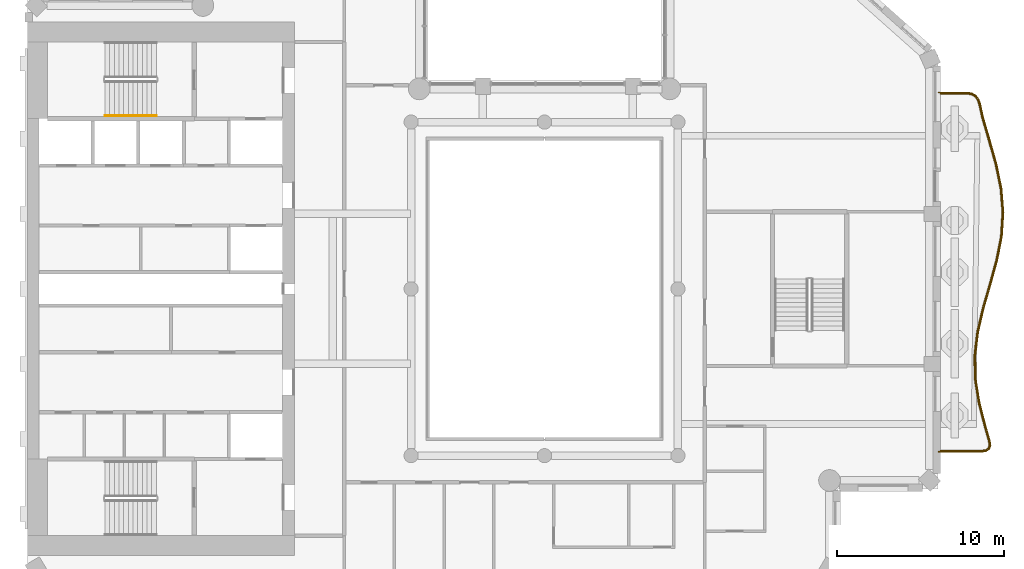
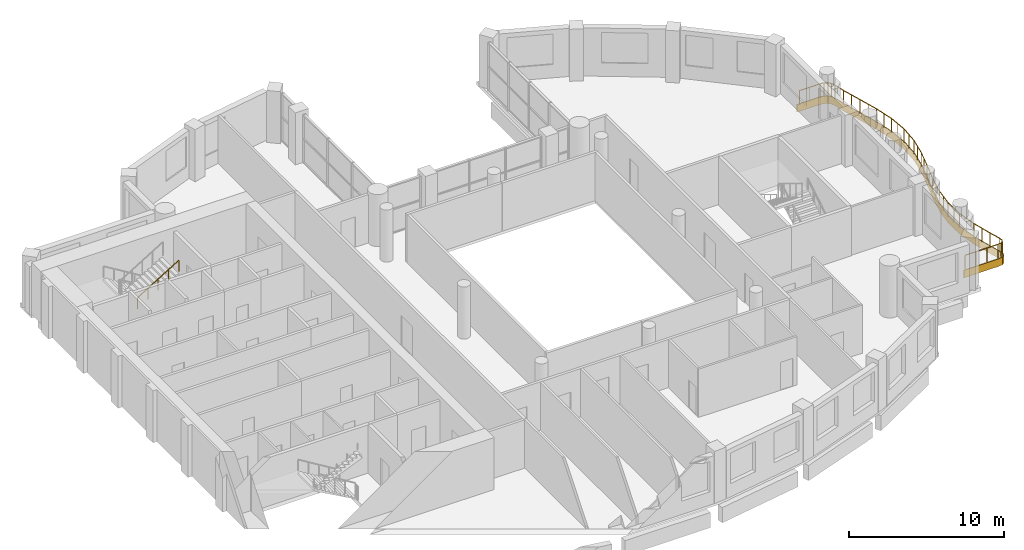
# One storey, part 12 of 14: 2 railings, 1 covering.
"""IFC4 building model written with IfcOpenShell, lengths in metres."""

import ifcopenshell
import ifcopenshell.guid

model = None  # the IFC model being written
_history = None  # IfcOwnerHistory: only IFC2X3 demands one
_inside = {}  # id of a spatial element -> (the spatial element, [elements in it])
_under = {}  # id of a project, library or spatial element -> (it, [spatial elements below it])
_declared = {}  # id of a project -> (the project, [libraries it declares])
_typed = {}  # id of a type object -> (the type object, [elements of that type])
_made_of = {}  # id of a material, layer set ... -> (it, [elements and type objects made of it])


def new_model(schema):
    """Start an empty IFC model of exactly this schema.

    Asked for "IFC4X3", IfcOpenShell would pick the latest addendum, in which some entities
    have other attributes; the version numbers below select the first issue.
    IFC2X3 requires an IfcOwnerHistory on every rooted entity: one is made here for all.
    """
    global model, _history
    if schema == "IFC4X3":
        model = ifcopenshell.file(schema_version=(4, 3, 0, 0))
    else:
        model = ifcopenshell.file(schema=schema)
    _inside.clear()
    _under.clear()
    _declared.clear()
    _typed.clear()
    _made_of.clear()
    _history = None
    if model.schema == "IFC2X3":
        org = make("IfcOrganization", Name="unknown")
        user = make(
            "IfcPersonAndOrganization",
            ThePerson=make("IfcPerson", FamilyName="unknown"),
            TheOrganization=org,
        )
        app = make(
            "IfcApplication",
            ApplicationDeveloper=org,
            Version="unknown",
            ApplicationFullName="unknown",
            ApplicationIdentifier="unknown",
        )
        _history = make(
            "IfcOwnerHistory",
            OwningUser=user,
            OwningApplication=app,
            ChangeAction="ADDED",
            CreationDate=0,
        )
    return model


def make(cls, **values):
    """One entity of the class cls with the attributes given. An attribute that is None is left unset."""
    return model.create_entity(
        cls, **{name: value for name, value in values.items() if value is not None}
    )


def rooted(cls, **values):
    """An entity with a GlobalId (a new one), such as an element, a storey or a relation."""
    return make(cls, GlobalId=ifcopenshell.guid.new(), OwnerHistory=_history, **values)


def si_unit(unit_type, name, prefix=None):
    """IfcSIUnit, for example si_unit("LENGTHUNIT", "METRE", prefix="MILLI")."""
    return make("IfcSIUnit", UnitType=unit_type, Prefix=prefix, Name=name)


def assignment(units):
    """IfcUnitAssignment: the units of a project."""
    return None if units is None else make("IfcUnitAssignment", Units=units)


def point(xyz):
    """IfcCartesianPoint."""
    return None if xyz is None else make("IfcCartesianPoint", Coordinates=xyz)


def direction(xyz):
    """IfcDirection."""
    return None if xyz is None else make("IfcDirection", DirectionRatios=xyz)


def frame(location, z_axis=None, x_axis=None):
    """IfcAxis2Placement3D, a coordinate frame: its origin and axes. An axis left out is left unset."""
    return make(
        "IfcAxis2Placement3D",
        Location=point(location),
        Axis=direction(z_axis),
        RefDirection=direction(x_axis),
    )


def frame_2d(location, x_axis=None):
    """IfcAxis2Placement2D, a coordinate frame in the plane: its origin and x axis."""
    return make(
        "IfcAxis2Placement2D", Location=point(location), RefDirection=direction(x_axis)
    )


def origin():
    """The frame at (0, 0, 0) with its axes left unset."""
    return frame((0.0, 0.0, 0.0))


def origin_2d():
    """The frame at (0, 0) in the plane with its x axis left unset."""
    return frame_2d((0.0, 0.0))


def place(relative_to, where):
    """IfcLocalPlacement: puts the frame where relative to a parent placement (None: the world)."""
    return make(
        "IfcLocalPlacement", PlacementRelTo=relative_to, RelativePlacement=where
    )


def context(
    kind, dimensions, precision=None, world=None, true_north=None, identifier=None
):
    """IfcGeometricRepresentationContext, for example the 3D "Model" context."""
    return make(
        "IfcGeometricRepresentationContext",
        ContextIdentifier=identifier,
        ContextType=kind,
        CoordinateSpaceDimension=dimensions,
        Precision=precision,
        WorldCoordinateSystem=world,
        TrueNorth=true_north,
    )


def subcontext(parent, identifier, kind, view, scale=None):
    """IfcGeometricRepresentationSubContext, for example "Body" below "Model"."""
    return make(
        "IfcGeometricRepresentationSubContext",
        ContextIdentifier=identifier,
        ContextType=kind,
        ParentContext=parent,
        TargetScale=scale,
        TargetView=view,
    )


def project(units=None, contexts=None):
    """IfcProject with its units and contexts."""
    return rooted(
        "IfcProject",
        Name="project",
        RepresentationContexts=contexts,
        UnitsInContext=assignment(units),
    )


def spatial(cls, under=None, at=None, **own):
    """A site, building, storey or space (cls), placed at a placement, below another one or the project."""
    s = rooted(cls, ObjectPlacement=at, **own)
    if under is not None:
        _under.setdefault(under.id(), (under, []))[1].append(s)
    return s


def polyline(points):
    """IfcPolyline through the points."""
    return make("IfcPolyline", Points=[point(p) for p in points])


def profile(cls, at=None, kind="AREA", **sizes):
    """A parametric profile (cls). Its sizes go by their IFC names, for example OverallWidth=200.0."""
    return make(cls, ProfileType=kind, Position=at, **sizes)


def rectangle(**sizes):
    """IfcRectangleProfileDef."""
    return profile("IfcRectangleProfileDef", **sizes)


def outline(outer, holes=None, kind="AREA"):
    """IfcArbitraryClosedProfileDef: a profile drawn as a closed curve; with holes, ...WithVoids."""
    if holes is None:
        return make("IfcArbitraryClosedProfileDef", ProfileType=kind, OuterCurve=outer)
    return make(
        "IfcArbitraryProfileDefWithVoids",
        ProfileType=kind,
        OuterCurve=outer,
        InnerCurves=holes,
    )


def extrude(swept, where, along, depth):
    """IfcExtrudedAreaSolid: the profile swept, set in the frame where, extruded along a direction by depth."""
    return make(
        "IfcExtrudedAreaSolid",
        SweptArea=swept,
        Position=where,
        ExtrudedDirection=direction(along),
        Depth=depth,
    )


def shape(context_of_items, identifier, shape_type, items):
    """IfcShapeRepresentation: the items that make up one representation, for example the "Body"."""
    return make(
        "IfcShapeRepresentation",
        ContextOfItems=context_of_items,
        RepresentationIdentifier=identifier,
        RepresentationType=shape_type,
        Items=items,
    )


def material(Name=None, Category=None):
    """IfcMaterial."""
    return make("IfcMaterial", Name=Name, Category=Category)


def layer(
    of_material, thickness, ventilated=None, Name=None, Category=None, Priority=None
):
    """IfcMaterialLayer: one layer of a wall or slab, of a material (None: an air gap)."""
    return make(
        "IfcMaterialLayer",
        Material=of_material,
        LayerThickness=thickness,
        IsVentilated=ventilated,
        Name=Name,
        Category=Category,
        Priority=Priority,
    )


def layer_set(layers, Name=None):
    """IfcMaterialLayerSet."""
    return make("IfcMaterialLayerSet", MaterialLayers=layers, LayerSetName=Name)


def made_of(thing, what):
    """Note that an element or type object is made of a material, layer set ...; save() writes the relation."""
    if what is not None:
        _made_of.setdefault(what.id(), (what, []))[1].append(thing)
    return thing


def type_object(cls, material=None, **own):
    """A type object (cls), such as IfcWallType, which elements share."""
    return made_of(rooted(cls, **own), material)


def element(
    cls,
    number,
    at=None,
    inside=None,
    cuts=None,
    type_object=None,
    material=None,
    context=None,
    identifier="Body",
    shape_type=None,
    held_by="IfcProductDefinitionShape",
    body=None,
    shapes=None,
    **own,
):
    """One element of the class cls, such as IfcWall. Its Tag is "e" and its number.

    at: its placement. inside: the storey or other place that contains it. cuts: it is an
    opening in that element (IfcRelVoidsElement). A single representation is given by context,
    identifier, shape_type and body (its items); several are given by shapes. held_by: the class
    of the entity that holds the representations. save() writes the other relations.
    """
    e = rooted(cls, Tag="e%d" % number, ObjectPlacement=at, **own)
    if body is not None:
        shapes = [shape(context, identifier, shape_type, body)]
    if shapes is not None:
        e.Representation = make(held_by, Representations=shapes)
    if inside is not None:
        _inside.setdefault(inside.id(), (inside, []))[1].append(e)
    if cuts is not None:
        rooted(
            "IfcRelVoidsElement", RelatingBuildingElement=cuts, RelatedOpeningElement=e
        )
    if type_object is not None:
        _typed.setdefault(type_object.id(), (type_object, []))[1].append(e)
    return made_of(e, material)


def aggregate(whole, parts):
    """IfcRelAggregates: a whole, such as a stair, and the parts it consists of."""
    return rooted("IfcRelAggregates", RelatingObject=whole, RelatedObjects=parts)


def save(model, path):
    """Write the relations noted so far, then the file.

    IfcRelAggregates (storeys below a building ...), IfcRelContainedInSpatialStructure (elements
    in a storey), IfcRelDefinesByType, IfcRelAssociatesMaterial and IfcRelDeclares: one each for
    every whole, place, type object, material and project.
    """
    for whole, parts in _under.values():
        aggregate(whole, parts)
    for where, things in _inside.values():
        rooted(
            "IfcRelContainedInSpatialStructure",
            RelatedElements=things,
            RelatingStructure=where,
        )
    for kind, things in _typed.values():
        rooted("IfcRelDefinesByType", RelatedObjects=things, RelatingType=kind)
    for what, things in _made_of.values():
        rooted("IfcRelAssociatesMaterial", RelatedObjects=things, RelatingMaterial=what)
    for by, libraries in _declared.values():
        rooted("IfcRelDeclares", RelatingContext=by, RelatedDefinitions=libraries)
    model.write(path)


model = new_model("IFC4")

# Units and contexts
model_context = context("Model", 3, precision=1e-05, world=origin(), true_north=direction((0.0, 1.0)))
body_context = subcontext(model_context, "Body", "Model", "MODEL_VIEW")
ifc_project = project(units=[si_unit("LENGTHUNIT", "METRE"), si_unit("AREAUNIT", "SQUARE_METRE"), si_unit("VOLUMEUNIT", "CUBIC_METRE"), si_unit("PLANEANGLEUNIT", "RADIAN"), si_unit("MASSUNIT", "GRAM", prefix="KILO")], contexts=[model_context])

# Site, building, storey
site_placement = place(None, origin())
site = spatial("IfcSite", under=ifc_project, at=site_placement, CompositionType="ELEMENT")
building_placement = place(site_placement, origin())
building = spatial("IfcBuilding", under=site, at=building_placement, Name="Cypress Arch Tower", CompositionType="ELEMENT")
storey_placement = place(building_placement, frame((0.0, 0.0, 251.60009765625)))
storey = spatial("IfcBuildingStorey", under=building, at=storey_placement, Name="L56", CompositionType="ELEMENT", Elevation=251.60009765625)

# Covering
ifc_material_1 = material(Name="White powder-coated aluminium fascia", Category="aluminium")
ifc_layer = layer(ifc_material_1, 0.050048828125)
ifc_layer_set = layer_set([ifc_layer], Name="Balcony fascia BF50")
covering_type = type_object("IfcCoveringType", Name="Balcony fascia BF50", PredefinedType="CLADDING", material=ifc_layer_set)
covering_placement = place(storey_placement, frame((0.0, 0.0, -0.60009765625)))
element("IfcCovering", 1, at=covering_placement, inside=storey, type_object=covering_type, Name="Balcony fascia L56-C17", PredefinedType="CLADDING", context=body_context, shape_type="SweptSolid", body=[
    extrude(outline(polyline([(26.29638671875, 11.800048828125), (26.606201171875, 11.758056640625), (26.8564453125, 11.62841796875), (27.037109375, 11.41259765625), (27.1455078125, 11.119140625), (27.321533203125, 10.3291015625), (27.732666015625, 8.89697265625), (28.136474609375, 7.4619140625), (28.43310546875, 6.023681640625), (28.5498046875, 4.583740234375), (28.45703125, 3.1435546875), (28.17822265625, 1.705322265625), (27.781982421875, 0.269775390625), (27.3662109375, -1.16259765625), (27.032470703125, -2.592041015625), (26.862060546875, -4.01904296875), (26.896240234375, -5.4453125), (27.12646484375, -6.873046875), (27.497314453125, -8.303466796875), (27.7294921875, -9.09423828125), (27.772705078125, -9.3916015625), (27.69677734375, -9.620361328125), (27.498779296875, -9.757568359375), (27.201416015625, -9.800048828125), (24.60107421875, -9.800048828125), (24.60107421875, -9.75), (27.19775390625, -9.75), (27.47998046875, -9.709716796875), (27.654541015625, -9.5888671875), (27.721435546875, -9.38720703125), (27.6806640625, -9.10498046875), (27.44921875, -8.316650390625), (27.07763671875, -6.88330078125), (26.84619140625, -5.449951171875), (26.81201171875, -4.0166015625), (26.983154296875, -2.583251953125), (27.31787109375, -1.14990234375), (27.73388671875, 0.283447265625), (28.12939453125, 1.716552734375), (28.407470703125, 3.14990234375), (28.499755859375, 4.583251953125), (28.383544921875, 6.0166015625), (28.087890625, 7.449951171875), (27.6845703125, 8.88330078125), (27.27294921875, 10.316650390625), (27.097412109375, 11.10498046875), (26.9931640625, 11.38720703125), (26.824462890625, 11.5888671875), (26.591064453125, 11.709716796875), (26.29296875, 11.75), (24.60107421875, 11.75), (24.60107421875, 11.800048828125), (26.29638671875, 11.800048828125)])), origin(), (0.0, 0.0, 1.0), 0.60009765625),
])

# Railings
ifc_material_2 = material(Name="Powder-coated steel posts and rods, 100 mm clear between rods", Category="steel")
railing_type_1 = type_object("IfcRailingType", Name="Balcony guard GR1100", PredefinedType="GUARDRAIL", material=ifc_material_2)
railing_1_placement = place(storey_placement, frame((24.75, 11.699951171875, 0.0)))
element("IfcRailing", 2, at=railing_1_placement, inside=storey, type_object=railing_type_1, Name="Balcony guard L56-C17", PredefinedType="GUARDRAIL", context=body_context, shape_type="SweptSolid", body=[
    extrude(rectangle(XDim=0.050048828125, YDim=0.050048828125, at=origin_2d()), frame((0.0, 0.0, 1.0751953125), z_axis=(1.0, 0.0, 0.0), x_axis=(0.0, 1.0, 0.0)), (0.0, 0.0, 1.0), 1.53955078125),
    extrude(rectangle(XDim=0.050048828125, YDim=0.050048828125, at=origin_2d()), frame((1.53955078125, 0.0, 1.0751953125), z_axis=(0.991034842218, -0.133603673268, 0.0), x_axis=(0.133603673268, 0.991034842218, 0.0)), (0.0, 0.0, 1.0), 0.288818359375),
    extrude(rectangle(XDim=0.050048828125, YDim=0.050048828125, at=origin_2d()), frame((1.82568359375, -0.03857421875, 1.0751953125), z_axis=(0.887936070904, -0.459966883577, 0.0), x_axis=(0.459966883577, 0.887936070904, 0.0)), (0.0, 0.0, 1.0), 0.244140625),
    extrude(rectangle(XDim=0.050048828125, YDim=0.050048828125, at=origin_2d()), frame((2.04248046875, -0.15087890625, 1.0751953125), z_axis=(0.641854636385, -0.766826333501, 0.0), x_axis=(0.766826333501, 0.641854636385, 0.0)), (0.0, 0.0, 1.0), 0.244140625),
    extrude(rectangle(XDim=0.050048828125, YDim=0.050048828125, at=origin_2d()), frame((2.19921875, -0.338134765625, 1.0751953125), z_axis=(0.346488496144, -0.938054221269, 0.0), x_axis=(0.938054221269, 0.346488496144, 0.0)), (0.0, 0.0, 1.0), 0.288818359375),
    extrude(rectangle(XDim=0.050048828125, YDim=0.050048828125, at=origin_2d()), frame((2.29931640625, -0.609130859375, 1.0751953125), z_axis=(0.217219147174, -0.976122862196, 0.0), x_axis=(0.976122862196, 0.217219147174, 0.0)), (0.0, 0.0, 1.0), 0.805908203125),
    extrude(rectangle(XDim=0.050048828125, YDim=0.050048828125, at=origin_2d()), frame((2.474365234375, -1.395751953125, 1.0751953125), z_axis=(0.276103459792, -0.961127920462, 0.0), x_axis=(0.961127920462, 0.276103459792, 0.0)), (0.0, 0.0, 1.0), 1.49267578125),
    extrude(rectangle(XDim=0.050048828125, YDim=0.050048828125, at=origin_2d()), frame((2.886474609375, -2.830322265625, 1.0751953125), z_axis=(0.270750331756, -0.962649602843, 0.0), x_axis=(0.962649602843, 0.270750331756, 0.0)), (0.0, 0.0, 1.0), 1.48681640625),
    extrude(rectangle(XDim=0.050048828125, YDim=0.050048828125, at=origin_2d()), frame((3.2890625, -4.26171875, 1.0751953125), z_axis=(0.202162869744, -0.979351915349, 0.0), x_axis=(0.979351915349, 0.202162869744, 0.0)), (0.0, 0.0, 1.0), 1.458740234375),
    extrude(rectangle(XDim=0.050048828125, YDim=0.050048828125, at=origin_2d()), frame((3.583984375, -5.6904296875, 1.0751953125), z_axis=(0.080687618416, -0.996739438486, 0.0), x_axis=(0.996739438486, 0.080687618416, 0.0)), (0.0, 0.0, 1.0), 1.43115234375),
    extrude(rectangle(XDim=0.050048828125, YDim=0.050048828125, at=origin_2d()), frame((3.699462890625, -7.116943359375, 1.0751953125), z_axis=(-0.064217679938, -0.997935914567, 0.0), x_axis=(0.997935914567, -0.064217679938, 0.0)), (0.0, 0.0, 1.0), 1.429443359375),
    extrude(rectangle(XDim=0.050048828125, YDim=0.050048828125, at=origin_2d()), frame((3.607666015625, -8.54345703125, 1.0751953125), z_axis=(-0.190272321148, -0.981731350118, 0.0), x_axis=(0.981731350118, -0.190272321148, 0.0)), (0.0, 0.0, 1.0), 1.455078125),
    extrude(rectangle(XDim=0.050048828125, YDim=0.050048828125, at=origin_2d()), frame((3.330810546875, -9.971923828125, 1.0751953125), z_axis=(-0.266065999561, -0.96395481423, 0.0), x_axis=(0.96395481423, -0.266065999561, 0.0)), (0.0, 0.0, 1.0), 1.484619140625),
    extrude(rectangle(XDim=0.050048828125, YDim=0.050048828125, at=origin_2d()), frame((2.935791015625, -11.403076171875, 1.0751953125), z_axis=(-0.278712928409, -0.960374460061, 0.0), x_axis=(0.960374460061, -0.278712928409, 0.0)), (0.0, 0.0, 1.0), 1.493408203125),
    extrude(rectangle(XDim=0.050048828125, YDim=0.050048828125, at=origin_2d()), frame((2.51953125, -12.83740234375, 1.0751953125), z_axis=(-0.227444003144, -0.973791161099, 0.0), x_axis=(0.973791161099, -0.227444003144, 0.0)), (0.0, 0.0, 1.0), 1.475830078125),
    extrude(rectangle(XDim=0.050048828125, YDim=0.050048828125, at=origin_2d()), frame((2.183837890625, -14.274658203125, 1.0751953125), z_axis=(-0.118540988391, -0.992949159862, 0.0), x_axis=(0.992949159862, -0.118540988391, 0.0)), (0.0, 0.0, 1.0), 1.449951171875),
    extrude(rectangle(XDim=0.050048828125, YDim=0.050048828125, at=origin_2d()), frame((2.011962890625, -15.71435546875, 1.0751953125), z_axis=(0.023895531277, -0.999714461026, 0.0), x_axis=(0.999714461026, 0.023895531277, 0.0)), (0.0, 0.0, 1.0), 1.440673828125),
    extrude(rectangle(XDim=0.050048828125, YDim=0.050048828125, at=origin_2d()), frame((2.04638671875, -17.154541015625, 1.0751953125), z_axis=(0.159290366274, -0.987231775832, 0.0), x_axis=(0.987231775832, 0.159290366274, 0.0)), (0.0, 0.0, 1.0), 1.45751953125),
    extrude(rectangle(XDim=0.050048828125, YDim=0.050048828125, at=origin_2d()), frame((2.278564453125, -18.593505859375, 1.0751953125), z_axis=(0.250887935226, -0.968016138274, 0.0), x_axis=(0.968016138274, 0.250887935226, 0.0)), (0.0, 0.0, 1.0), 1.48388671875),
    extrude(rectangle(XDim=0.050048828125, YDim=0.050048828125, at=origin_2d()), frame((2.65087890625, -20.030029296875, 1.0751953125), z_axis=(0.281762736317, -0.959484111605, 0.0), x_axis=(0.959484111605, 0.281762736317, 0.0)), (0.0, 0.0, 1.0), 0.81884765625),
    extrude(rectangle(XDim=0.050048828125, YDim=0.050048828125, at=origin_2d()), frame((2.881591796875, -20.815673828125, 1.0751953125), z_axis=(0.143069172256, -0.989712691618, 0.0), x_axis=(0.989712691618, 0.143069172256, 0.0)), (0.0, 0.0, 1.0), 0.26953125),
    extrude(rectangle(XDim=0.050048828125, YDim=0.050048828125, at=origin_2d()), frame((2.920166015625, -21.08251953125, 1.0751953125), z_axis=(-0.314634235413, -0.949212988694, 0.0), x_axis=(0.949212988694, -0.314634235413, 0.0)), (0.0, 0.0, 1.0), 0.183837890625),
    extrude(rectangle(XDim=0.050048828125, YDim=0.050048828125, at=origin_2d()), frame((2.8623046875, -21.257080078125, 1.0751953125), z_axis=(-0.821905283493, -0.569624178705, 0.0), x_axis=(0.569624178705, -0.821905283493, 0.0)), (0.0, 0.0, 1.0), 0.183837890625),
    extrude(rectangle(XDim=0.050048828125, YDim=0.050048828125, at=origin_2d()), frame((2.711181640625, -21.36181640625, 1.0751953125), z_axis=(-0.989967600226, -0.141294552274, 0.0), x_axis=(0.141294552274, -0.989967600226, 0.0)), (0.0, 0.0, 1.0), 0.26953125),
    extrude(rectangle(XDim=0.050048828125, YDim=0.050048828125, at=origin_2d()), frame((2.4443359375, -21.39990234375, 1.0751953125), z_axis=(-1.0, 0.0, 0.0), x_axis=(0.0, -1.0, 0.0)), (0.0, 0.0, 1.0), 2.4443359375),
    extrude(rectangle(XDim=0.0400390625, YDim=0.0400390625, at=origin_2d()), origin(), (0.0, 0.0, 1.0), 1.050048828125),
    extrude(rectangle(XDim=0.0400390625, YDim=0.0400390625, at=origin_2d()), frame((0.769775390625, 0.0, 0.0)), (0.0, 0.0, 1.0), 1.050048828125),
    extrude(rectangle(XDim=0.0400390625, YDim=0.0400390625, at=origin_2d()), frame((1.53955078125, 0.0, 0.0)), (0.0, 0.0, 1.0), 1.050048828125),
    extrude(rectangle(XDim=0.0400390625, YDim=0.0400390625, at=origin_2d()), frame((1.82568359375, -0.03857421875, 0.0)), (0.0, 0.0, 1.0), 1.050048828125),
    extrude(rectangle(XDim=0.0400390625, YDim=0.0400390625, at=origin_2d()), frame((2.04248046875, -0.15087890625, 0.0)), (0.0, 0.0, 1.0), 1.050048828125),
    extrude(rectangle(XDim=0.0400390625, YDim=0.0400390625, at=origin_2d()), frame((2.19921875, -0.338134765625, 0.0)), (0.0, 0.0, 1.0), 1.050048828125),
    extrude(rectangle(XDim=0.0400390625, YDim=0.0400390625, at=origin_2d()), frame((2.29931640625, -0.609130859375, 0.0)), (0.0, 0.0, 1.0), 1.050048828125),
    extrude(rectangle(XDim=0.0400390625, YDim=0.0400390625, at=origin_2d()), frame((2.474365234375, -1.395751953125, 0.0)), (0.0, 0.0, 1.0), 1.050048828125),
    extrude(rectangle(XDim=0.0400390625, YDim=0.0400390625, at=origin_2d()), frame((2.680419921875, -2.113037109375, 0.0)), (0.0, 0.0, 1.0), 1.050048828125),
    extrude(rectangle(XDim=0.0400390625, YDim=0.0400390625, at=origin_2d()), frame((2.886474609375, -2.830322265625, 0.0)), (0.0, 0.0, 1.0), 1.050048828125),
    extrude(rectangle(XDim=0.0400390625, YDim=0.0400390625, at=origin_2d()), frame((3.087890625, -3.5458984375, 0.0)), (0.0, 0.0, 1.0), 1.050048828125),
    extrude(rectangle(XDim=0.0400390625, YDim=0.0400390625, at=origin_2d()), frame((3.2890625, -4.26171875, 0.0)), (0.0, 0.0, 1.0), 1.050048828125),
    extrude(rectangle(XDim=0.0400390625, YDim=0.0400390625, at=origin_2d()), frame((3.4365234375, -4.97607421875, 0.0)), (0.0, 0.0, 1.0), 1.050048828125),
    extrude(rectangle(XDim=0.0400390625, YDim=0.0400390625, at=origin_2d()), frame((3.583984375, -5.6904296875, 0.0)), (0.0, 0.0, 1.0), 1.050048828125),
    extrude(rectangle(XDim=0.0400390625, YDim=0.0400390625, at=origin_2d()), frame((3.6416015625, -6.40380859375, 0.0)), (0.0, 0.0, 1.0), 1.050048828125),
    extrude(rectangle(XDim=0.0400390625, YDim=0.0400390625, at=origin_2d()), frame((3.699462890625, -7.116943359375, 0.0)), (0.0, 0.0, 1.0), 1.050048828125),
    extrude(rectangle(XDim=0.0400390625, YDim=0.0400390625, at=origin_2d()), frame((3.653564453125, -7.830078125, 0.0)), (0.0, 0.0, 1.0), 1.050048828125),
    extrude(rectangle(XDim=0.0400390625, YDim=0.0400390625, at=origin_2d()), frame((3.607666015625, -8.54345703125, 0.0)), (0.0, 0.0, 1.0), 1.050048828125),
    extrude(rectangle(XDim=0.0400390625, YDim=0.0400390625, at=origin_2d()), frame((3.46923828125, -9.2578125, 0.0)), (0.0, 0.0, 1.0), 1.050048828125),
    extrude(rectangle(XDim=0.0400390625, YDim=0.0400390625, at=origin_2d()), frame((3.330810546875, -9.971923828125, 0.0)), (0.0, 0.0, 1.0), 1.050048828125),
    extrude(rectangle(XDim=0.0400390625, YDim=0.0400390625, at=origin_2d()), frame((3.13330078125, -10.6875, 0.0)), (0.0, 0.0, 1.0), 1.050048828125),
    extrude(rectangle(XDim=0.0400390625, YDim=0.0400390625, at=origin_2d()), frame((2.935791015625, -11.403076171875, 0.0)), (0.0, 0.0, 1.0), 1.050048828125),
    extrude(rectangle(XDim=0.0400390625, YDim=0.0400390625, at=origin_2d()), frame((2.7275390625, -12.1201171875, 0.0)), (0.0, 0.0, 1.0), 1.050048828125),
    extrude(rectangle(XDim=0.0400390625, YDim=0.0400390625, at=origin_2d()), frame((2.51953125, -12.83740234375, 0.0)), (0.0, 0.0, 1.0), 1.050048828125),
    extrude(rectangle(XDim=0.0400390625, YDim=0.0400390625, at=origin_2d()), frame((2.3515625, -13.55615234375, 0.0)), (0.0, 0.0, 1.0), 1.050048828125),
    extrude(rectangle(XDim=0.0400390625, YDim=0.0400390625, at=origin_2d()), frame((2.183837890625, -14.274658203125, 0.0)), (0.0, 0.0, 1.0), 1.050048828125),
    extrude(rectangle(XDim=0.0400390625, YDim=0.0400390625, at=origin_2d()), frame((2.097900390625, -14.99462890625, 0.0)), (0.0, 0.0, 1.0), 1.050048828125),
    extrude(rectangle(XDim=0.0400390625, YDim=0.0400390625, at=origin_2d()), frame((2.011962890625, -15.71435546875, 0.0)), (0.0, 0.0, 1.0), 1.050048828125),
    extrude(rectangle(XDim=0.0400390625, YDim=0.0400390625, at=origin_2d()), frame((2.029296875, -16.4345703125, 0.0)), (0.0, 0.0, 1.0), 1.050048828125),
    extrude(rectangle(XDim=0.0400390625, YDim=0.0400390625, at=origin_2d()), frame((2.04638671875, -17.154541015625, 0.0)), (0.0, 0.0, 1.0), 1.050048828125),
    extrude(rectangle(XDim=0.0400390625, YDim=0.0400390625, at=origin_2d()), frame((2.16259765625, -17.8740234375, 0.0)), (0.0, 0.0, 1.0), 1.050048828125),
    extrude(rectangle(XDim=0.0400390625, YDim=0.0400390625, at=origin_2d()), frame((2.278564453125, -18.593505859375, 0.0)), (0.0, 0.0, 1.0), 1.050048828125),
    extrude(rectangle(XDim=0.0400390625, YDim=0.0400390625, at=origin_2d()), frame((2.46484375, -19.311767578125, 0.0)), (0.0, 0.0, 1.0), 1.050048828125),
    extrude(rectangle(XDim=0.0400390625, YDim=0.0400390625, at=origin_2d()), frame((2.65087890625, -20.030029296875, 0.0)), (0.0, 0.0, 1.0), 1.050048828125),
    extrude(rectangle(XDim=0.0400390625, YDim=0.0400390625, at=origin_2d()), frame((2.881591796875, -20.815673828125, 0.0)), (0.0, 0.0, 1.0), 1.050048828125),
    extrude(rectangle(XDim=0.0400390625, YDim=0.0400390625, at=origin_2d()), frame((2.920166015625, -21.08251953125, 0.0)), (0.0, 0.0, 1.0), 1.050048828125),
    extrude(rectangle(XDim=0.0400390625, YDim=0.0400390625, at=origin_2d()), frame((2.8623046875, -21.257080078125, 0.0)), (0.0, 0.0, 1.0), 1.050048828125),
    extrude(rectangle(XDim=0.0400390625, YDim=0.0400390625, at=origin_2d()), frame((2.711181640625, -21.36181640625, 0.0)), (0.0, 0.0, 1.0), 1.050048828125),
    extrude(rectangle(XDim=0.0400390625, YDim=0.0400390625, at=origin_2d()), frame((2.4443359375, -21.39990234375, 0.0)), (0.0, 0.0, 1.0), 1.050048828125),
    extrude(rectangle(XDim=0.0400390625, YDim=0.0400390625, at=origin_2d()), frame((1.629638671875, -21.39990234375, 0.0)), (0.0, 0.0, 1.0), 1.050048828125),
    extrude(rectangle(XDim=0.0400390625, YDim=0.0400390625, at=origin_2d()), frame((0.814697265625, -21.39990234375, 0.0)), (0.0, 0.0, 1.0), 1.050048828125),
    extrude(rectangle(XDim=0.0400390625, YDim=0.0400390625, at=origin_2d()), frame((0.0, -21.39990234375, 0.0)), (0.0, 0.0, 1.0), 1.050048828125),
])
ifc_material_3 = material(Name="Black powder-coated steel square bar 48 mm", Category="steel")
railing_type_2 = type_object("IfcRailingType", Name="Stair handrail HR1", PredefinedType="HANDRAIL", material=ifc_material_3)
railing_2_placement = place(storey_placement, frame((-25.35498046875, 10.375, 2.220703125)))
element("IfcRailing", 3, at=railing_2_placement, inside=storey, type_object=railing_type_2, Name="L56 B stair handrail 2", PredefinedType="HANDRAIL", context=body_context, shape_type="SweptSolid", body=[
    extrude(rectangle(XDim=0.048095703125, YDim=0.048095703125, at=origin_2d()), frame((0.0, 0.0, 0.8759765625), z_axis=(0.853666305674, 0.0, 0.52082035152), x_axis=(0.0, 1.0, 0.0)), (0.0, 0.0, 1.0), 3.608154296875),
    extrude(rectangle(XDim=0.0419921875, YDim=0.0419921875, at=origin_2d()), origin(), (0.0, 0.0, 1.0), 0.851806640625),
    extrude(rectangle(XDim=0.0419921875, YDim=0.0419921875, at=origin_2d()), frame((0.77001953125, 0.0, 0.4697265625)), (0.0, 0.0, 1.0), 0.851806640625),
    extrude(rectangle(XDim=0.0419921875, YDim=0.0419921875, at=origin_2d()), frame((1.5400390625, 0.0, 0.939453125)), (0.0, 0.0, 1.0), 0.851806640625),
    extrude(rectangle(XDim=0.0419921875, YDim=0.0419921875, at=origin_2d()), frame((2.31005859375, 0.0, 1.409423828125)), (0.0, 0.0, 1.0), 0.851806640625),
    extrude(rectangle(XDim=0.0419921875, YDim=0.0419921875, at=origin_2d()), frame((3.080078125, 0.0, 1.879150390625)), (0.0, 0.0, 1.0), 0.851806640625),
])

save(model, "model.ifc")
